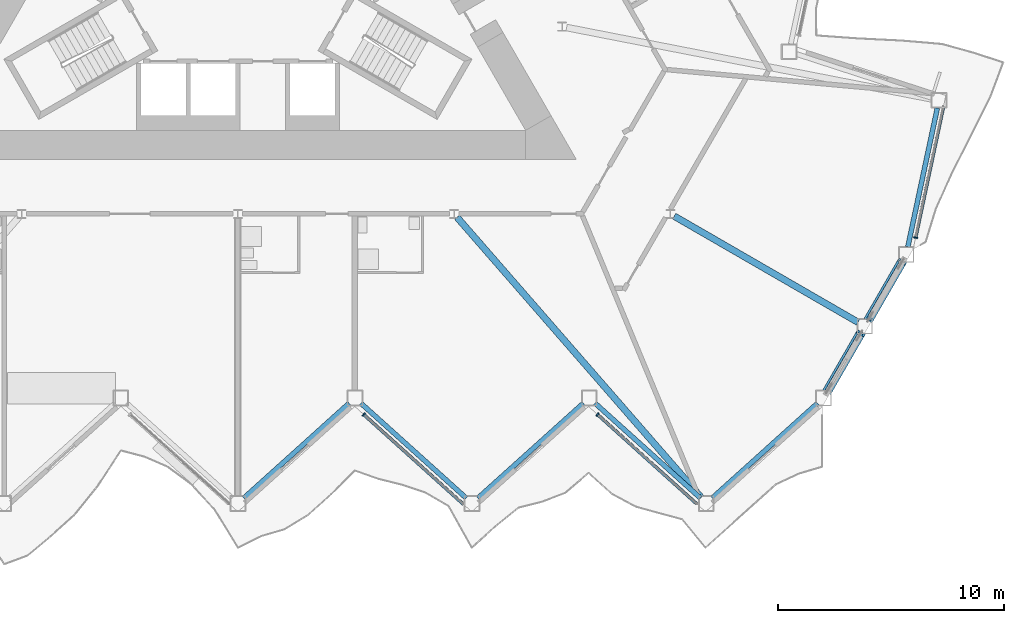
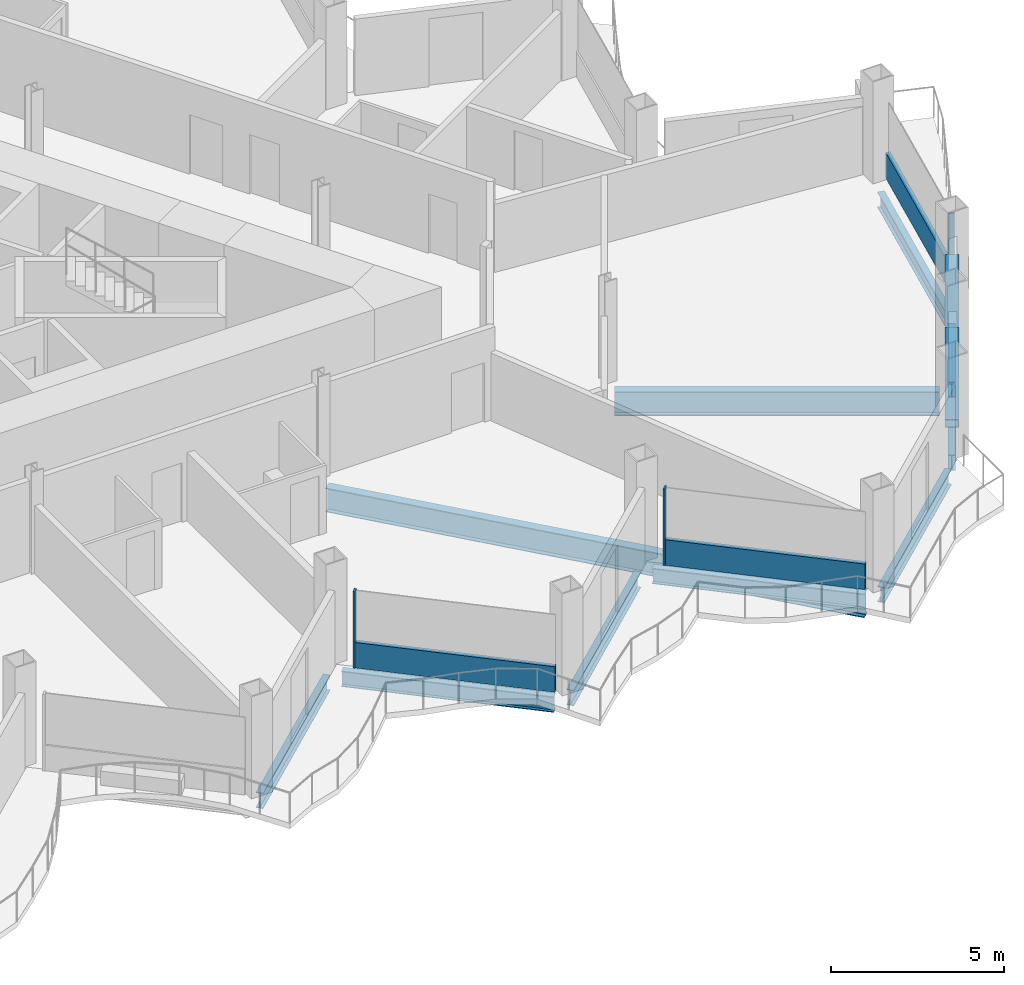
# One storey, part 6 of 23: 10 beams, 8 members, 3 elements without a shape of their own.
"""IFC4 building model written with IfcOpenShell, lengths in metres."""

import ifcopenshell
import ifcopenshell.guid

model = None  # the IFC model being written
_history = None  # IfcOwnerHistory: only IFC2X3 demands one
_inside = {}  # id of a spatial element -> (the spatial element, [elements in it])
_under = {}  # id of a project, library or spatial element -> (it, [spatial elements below it])
_declared = {}  # id of a project -> (the project, [libraries it declares])
_typed = {}  # id of a type object -> (the type object, [elements of that type])
_made_of = {}  # id of a material, layer set ... -> (it, [elements and type objects made of it])


def new_model(schema):
    """Start an empty IFC model of exactly this schema.

    Asked for "IFC4X3", IfcOpenShell would pick the latest addendum, in which some entities
    have other attributes; the version numbers below select the first issue.
    IFC2X3 requires an IfcOwnerHistory on every rooted entity: one is made here for all.
    """
    global model, _history
    if schema == "IFC4X3":
        model = ifcopenshell.file(schema_version=(4, 3, 0, 0))
    else:
        model = ifcopenshell.file(schema=schema)
    _inside.clear()
    _under.clear()
    _declared.clear()
    _typed.clear()
    _made_of.clear()
    _history = None
    if model.schema == "IFC2X3":
        org = make("IfcOrganization", Name="unknown")
        user = make(
            "IfcPersonAndOrganization",
            ThePerson=make("IfcPerson", FamilyName="unknown"),
            TheOrganization=org,
        )
        app = make(
            "IfcApplication",
            ApplicationDeveloper=org,
            Version="unknown",
            ApplicationFullName="unknown",
            ApplicationIdentifier="unknown",
        )
        _history = make(
            "IfcOwnerHistory",
            OwningUser=user,
            OwningApplication=app,
            ChangeAction="ADDED",
            CreationDate=0,
        )
    return model


def make(cls, **values):
    """One entity of the class cls with the attributes given. An attribute that is None is left unset."""
    return model.create_entity(
        cls, **{name: value for name, value in values.items() if value is not None}
    )


def rooted(cls, **values):
    """An entity with a GlobalId (a new one), such as an element, a storey or a relation."""
    return make(cls, GlobalId=ifcopenshell.guid.new(), OwnerHistory=_history, **values)


def si_unit(unit_type, name, prefix=None):
    """IfcSIUnit, for example si_unit("LENGTHUNIT", "METRE", prefix="MILLI")."""
    return make("IfcSIUnit", UnitType=unit_type, Prefix=prefix, Name=name)


def assignment(units):
    """IfcUnitAssignment: the units of a project."""
    return None if units is None else make("IfcUnitAssignment", Units=units)


def point(xyz):
    """IfcCartesianPoint."""
    return None if xyz is None else make("IfcCartesianPoint", Coordinates=xyz)


def direction(xyz):
    """IfcDirection."""
    return None if xyz is None else make("IfcDirection", DirectionRatios=xyz)


def frame(location, z_axis=None, x_axis=None):
    """IfcAxis2Placement3D, a coordinate frame: its origin and axes. An axis left out is left unset."""
    return make(
        "IfcAxis2Placement3D",
        Location=point(location),
        Axis=direction(z_axis),
        RefDirection=direction(x_axis),
    )


def frame_2d(location, x_axis=None):
    """IfcAxis2Placement2D, a coordinate frame in the plane: its origin and x axis."""
    return make(
        "IfcAxis2Placement2D", Location=point(location), RefDirection=direction(x_axis)
    )


def origin():
    """The frame at (0, 0, 0) with its axes left unset."""
    return frame((0.0, 0.0, 0.0))


def origin_2d():
    """The frame at (0, 0) in the plane with its x axis left unset."""
    return frame_2d((0.0, 0.0))


def place(relative_to, where):
    """IfcLocalPlacement: puts the frame where relative to a parent placement (None: the world)."""
    return make(
        "IfcLocalPlacement", PlacementRelTo=relative_to, RelativePlacement=where
    )


def context(
    kind, dimensions, precision=None, world=None, true_north=None, identifier=None
):
    """IfcGeometricRepresentationContext, for example the 3D "Model" context."""
    return make(
        "IfcGeometricRepresentationContext",
        ContextIdentifier=identifier,
        ContextType=kind,
        CoordinateSpaceDimension=dimensions,
        Precision=precision,
        WorldCoordinateSystem=world,
        TrueNorth=true_north,
    )


def subcontext(parent, identifier, kind, view, scale=None):
    """IfcGeometricRepresentationSubContext, for example "Body" below "Model"."""
    return make(
        "IfcGeometricRepresentationSubContext",
        ContextIdentifier=identifier,
        ContextType=kind,
        ParentContext=parent,
        TargetScale=scale,
        TargetView=view,
    )


def project(units=None, contexts=None):
    """IfcProject with its units and contexts."""
    return rooted(
        "IfcProject",
        Name="project",
        RepresentationContexts=contexts,
        UnitsInContext=assignment(units),
    )


def spatial(cls, under=None, at=None, **own):
    """A site, building, storey or space (cls), placed at a placement, below another one or the project."""
    s = rooted(cls, ObjectPlacement=at, **own)
    if under is not None:
        _under.setdefault(under.id(), (under, []))[1].append(s)
    return s


def profile(cls, at=None, kind="AREA", **sizes):
    """A parametric profile (cls). Its sizes go by their IFC names, for example OverallWidth=200.0."""
    return make(cls, ProfileType=kind, Position=at, **sizes)


def rectangle(**sizes):
    """IfcRectangleProfileDef."""
    return profile("IfcRectangleProfileDef", **sizes)


def hollow_rectangle(**sizes):
    """IfcRectangleHollowProfileDef."""
    return profile("IfcRectangleHollowProfileDef", **sizes)


def i_section(**sizes):
    """IfcIShapeProfileDef."""
    return profile("IfcIShapeProfileDef", **sizes)


def extrude(swept, where, along, depth):
    """IfcExtrudedAreaSolid: the profile swept, set in the frame where, extruded along a direction by depth."""
    return make(
        "IfcExtrudedAreaSolid",
        SweptArea=swept,
        Position=where,
        ExtrudedDirection=direction(along),
        Depth=depth,
    )


def shape(context_of_items, identifier, shape_type, items):
    """IfcShapeRepresentation: the items that make up one representation, for example the "Body"."""
    return make(
        "IfcShapeRepresentation",
        ContextOfItems=context_of_items,
        RepresentationIdentifier=identifier,
        RepresentationType=shape_type,
        Items=items,
    )


def material(Name=None, Category=None):
    """IfcMaterial."""
    return make("IfcMaterial", Name=Name, Category=Category)


def layer(
    of_material, thickness, ventilated=None, Name=None, Category=None, Priority=None
):
    """IfcMaterialLayer: one layer of a wall or slab, of a material (None: an air gap)."""
    return make(
        "IfcMaterialLayer",
        Material=of_material,
        LayerThickness=thickness,
        IsVentilated=ventilated,
        Name=Name,
        Category=Category,
        Priority=Priority,
    )


def layer_set(layers, Name=None):
    """IfcMaterialLayerSet."""
    return make("IfcMaterialLayerSet", MaterialLayers=layers, LayerSetName=Name)


def material_profile(
    of_material, cross_section, Name=None, Category=None, Priority=None
):
    """IfcMaterialProfile: a cross section and its material."""
    return make(
        "IfcMaterialProfile",
        Name=Name,
        Material=of_material,
        Profile=cross_section,
        Priority=Priority,
        Category=Category,
    )


def profile_set(profiles, Name=None, composite=None):
    """IfcMaterialProfileSet."""
    return make(
        "IfcMaterialProfileSet",
        Name=Name,
        MaterialProfiles=profiles,
        CompositeProfile=composite,
    )


def made_of(thing, what):
    """Note that an element or type object is made of a material, layer set ...; save() writes the relation."""
    if what is not None:
        _made_of.setdefault(what.id(), (what, []))[1].append(thing)
    return thing


def type_object(cls, material=None, **own):
    """A type object (cls), such as IfcWallType, which elements share."""
    return made_of(rooted(cls, **own), material)


def element(
    cls,
    number,
    at=None,
    inside=None,
    cuts=None,
    type_object=None,
    material=None,
    context=None,
    identifier="Body",
    shape_type=None,
    held_by="IfcProductDefinitionShape",
    body=None,
    shapes=None,
    **own,
):
    """One element of the class cls, such as IfcWall. Its Tag is "e" and its number.

    at: its placement. inside: the storey or other place that contains it. cuts: it is an
    opening in that element (IfcRelVoidsElement). A single representation is given by context,
    identifier, shape_type and body (its items); several are given by shapes. held_by: the class
    of the entity that holds the representations. save() writes the other relations.
    """
    e = rooted(cls, Tag="e%d" % number, ObjectPlacement=at, **own)
    if body is not None:
        shapes = [shape(context, identifier, shape_type, body)]
    if shapes is not None:
        e.Representation = make(held_by, Representations=shapes)
    if inside is not None:
        _inside.setdefault(inside.id(), (inside, []))[1].append(e)
    if cuts is not None:
        rooted(
            "IfcRelVoidsElement", RelatingBuildingElement=cuts, RelatedOpeningElement=e
        )
    if type_object is not None:
        _typed.setdefault(type_object.id(), (type_object, []))[1].append(e)
    return made_of(e, material)


def aggregate(whole, parts):
    """IfcRelAggregates: a whole, such as a stair, and the parts it consists of."""
    return rooted("IfcRelAggregates", RelatingObject=whole, RelatedObjects=parts)


def save(model, path):
    """Write the relations noted so far, then the file.

    IfcRelAggregates (storeys below a building ...), IfcRelContainedInSpatialStructure (elements
    in a storey), IfcRelDefinesByType, IfcRelAssociatesMaterial and IfcRelDeclares: one each for
    every whole, place, type object, material and project.
    """
    for whole, parts in _under.values():
        aggregate(whole, parts)
    for where, things in _inside.values():
        rooted(
            "IfcRelContainedInSpatialStructure",
            RelatedElements=things,
            RelatingStructure=where,
        )
    for kind, things in _typed.values():
        rooted("IfcRelDefinesByType", RelatedObjects=things, RelatingType=kind)
    for what, things in _made_of.values():
        rooted("IfcRelAssociatesMaterial", RelatedObjects=things, RelatingMaterial=what)
    for by, libraries in _declared.values():
        rooted("IfcRelDeclares", RelatingContext=by, RelatedDefinitions=libraries)
    model.write(path)


model = new_model("IFC4")

# Units and contexts
model_context = context("Model", 3, precision=1e-05, world=origin(), true_north=direction((0.0, 1.0)))
body_context = subcontext(model_context, "Body", "Model", "MODEL_VIEW")
ifc_project = project(units=[si_unit("LENGTHUNIT", "METRE"), si_unit("AREAUNIT", "SQUARE_METRE"), si_unit("VOLUMEUNIT", "CUBIC_METRE"), si_unit("PLANEANGLEUNIT", "RADIAN"), si_unit("MASSUNIT", "GRAM", prefix="KILO")], contexts=[model_context])

# Site, building, storey
site_placement = place(None, origin())
site = spatial("IfcSite", under=ifc_project, at=site_placement, CompositionType="ELEMENT")
building_placement = place(site_placement, origin())
building = spatial("IfcBuilding", under=site, at=building_placement, Name="Cormorant Prow Tower", CompositionType="ELEMENT")
storey_placement = place(building_placement, frame((0.0, 0.0, 259.800048828125)))
storey = spatial("IfcBuildingStorey", under=building, at=storey_placement, Name="L58", CompositionType="ELEMENT", Elevation=259.800048828125)

# Members
ifc_material_1 = material(Name="Structural steel ASTM A500 Gr C", Category="steel")
ifc_material_profile_1 = material_profile(ifc_material_1, hollow_rectangle(XDim=0.406494140625, YDim=0.406494140625, WallThickness=0.01171875, at=origin_2d()), Name="HSS16x16x1/2")
ifc_profile_set_1 = profile_set([ifc_material_profile_1], Name="Structural steel ASTM A500 Gr C")
member_type_1 = type_object("IfcMemberType", Name="Chamfer brace HSS16x16x1/2", PredefinedType="BRACE", material=ifc_profile_set_1)
for number, where, z_axis, x_axis, name in (
    (1, (26.1240234375, -18.898681640625, 0.74951171875), (0.462773096913, 0.801606962687, 0.378506721399), (-0.866041729639, 0.499971721724, 0.0), "Chamfer brace BR2 at ESE00 L58"),
    (2, (27.959228515625, -15.719970703125, 0.74951171875), (0.462773096913, 0.801606962687, 0.378506721399), (-0.866041729639, 0.499971721724, 0.0), "Chamfer brace BR2 at ESE01 L58"),
):
    element("IfcMember", number, at=place(storey_placement, frame(where, z_axis=z_axis, x_axis=x_axis)), inside=storey, type_object=member_type_1, Name=name, PredefinedType="BRACE", context=body_context, shape_type="SweptSolid", body=[
        extrude(hollow_rectangle(XDim=0.406494140625, YDim=0.406494140625, WallThickness=0.01171875, at=origin_2d()), origin(), (0.0, 0.0, 1.0), 3.17529296875),
    ])

# Curtain wall, member
ifc_material_2 = material(Name="Aluminium 6063-T6", Category="aluminium")
ifc_layer = layer(ifc_material_2, 0.179931640625)
ifc_layer_set = layer_set([ifc_layer], Name="Aluminium 6063-T6")
curtain_wall_type = type_object("IfcCurtainWallType", Name="Hotel unitised curtain wall 180", PredefinedType="NOTDEFINED", material=ifc_layer_set)
curtain_wall_1_placement = place(storey_placement, origin())
curtain_wall_1 = element("IfcCurtainWall", 3, at=curtain_wall_1_placement, inside=storey, type_object=curtain_wall_type, Name="Hotel curtain wall S06", PredefinedType="NOTDEFINED")
ifc_material_3 = material(Name="Aluminium 6063-T6", Category="aluminium")
ifc_material_profile_2 = material_profile(ifc_material_3, rectangle(XDim=0.179931640625, YDim=0.06005859375, at=origin_2d()), Name="Hotel mullion 60x180")
ifc_profile_set_2 = profile_set([ifc_material_profile_2], Name="Aluminium 6063-T6")
member_type_2 = type_object("IfcMemberType", Name="Hotel mullion 60x180", PredefinedType="MULLION", material=ifc_profile_set_2)
member_1_placement = place(storey_placement, frame((5.57421875, -19.94873046875, 0.0), z_axis=(0.0, 0.0, 1.0), x_axis=(0.669130602377, 0.743144829063, 0.0)))
member_1 = element("IfcMember", 4, at=member_1_placement, type_object=member_type_2, Name="Hotel mullion S06", PredefinedType="MULLION", context=body_context, shape_type="SweptSolid", body=[
    extrude(rectangle(XDim=0.179931640625, YDim=0.06005859375, at=origin_2d()), origin(), (0.0, 0.0, 1.0), 2.700927734375),
])

curtain_wall_2_placement = place(storey_placement, origin())
curtain_wall_2 = element("IfcCurtainWall", 5, at=curtain_wall_2_placement, inside=storey, type_object=curtain_wall_type, Name="Hotel curtain wall S08", PredefinedType="NOTDEFINED")
member_2_placement = place(storey_placement, frame((15.93310546875, -19.94873046875, 0.0), z_axis=(0.0, 0.0, 1.0), x_axis=(0.669130602377, 0.743144829063, 0.0)))
member_2 = element("IfcMember", 6, at=member_2_placement, type_object=member_type_2, Name="Hotel mullion S08", PredefinedType="MULLION", context=body_context, shape_type="SweptSolid", body=[
    extrude(rectangle(XDim=0.179931640625, YDim=0.06005859375, at=origin_2d()), origin(), (0.0, 0.0, 1.0), 2.700927734375),
])

curtain_wall_3_placement = place(storey_placement, origin())
curtain_wall_3 = element("IfcCurtainWall", 7, at=curtain_wall_3_placement, inside=storey, type_object=curtain_wall_type, Name="Hotel curtain wall ENE00", PredefinedType="NOTDEFINED")
member_3_placement = place(storey_placement, frame((30.027587890625, -12.11181640625, 0.0), z_axis=(0.0, 0.0, 1.0), x_axis=(-0.978147572038, 0.207911825822, 0.0)))
member_3 = element("IfcMember", 8, at=member_3_placement, type_object=member_type_2, Name="Hotel mullion ENE00", PredefinedType="MULLION", context=body_context, shape_type="SweptSolid", body=[
    extrude(rectangle(XDim=0.179931640625, YDim=0.06005859375, at=origin_2d()), origin(), (0.0, 0.0, 1.0), 2.700927734375),
])

# Member
ifc_material_4 = material(Name="Terracotta", Category="masonry")
ifc_material_profile_3 = material_profile(ifc_material_4, rectangle(XDim=0.139892578125, YDim=0.89990234375, at=origin_2d()), Name="Hotel terracotta spandrel rail 140x900")
ifc_profile_set_3 = profile_set([ifc_material_profile_3], Name="Terracotta")
member_type_3 = type_object("IfcMemberType", Name="Hotel terracotta spandrel rail 140x900", PredefinedType="USERDEFINED", material=ifc_profile_set_3)
member_4_placement = place(storey_placement, frame((5.596435546875, -19.968994140625, 0.449951171875), z_axis=(0.743164674775, -0.669108560823, 0.0), x_axis=(0.669108560823, 0.743164674775, 0.0)))
member_4 = element("IfcMember", 9, at=member_4_placement, type_object=member_type_3, Name="Hotel spandrel rail S06", ObjectType="TRANSOM", PredefinedType="USERDEFINED", context=body_context, shape_type="SweptSolid", body=[
    extrude(rectangle(XDim=0.139892578125, YDim=0.89990234375, at=origin_2d()), origin(), (0.0, 0.0, 1.0), 5.90771484375),
])

aggregate(curtain_wall_1, [member_1, member_4])

member_5_placement = place(storey_placement, frame((15.955322265625, -19.968994140625, 0.449951171875), z_axis=(0.743164674775, -0.669108560823, 0.0), x_axis=(0.669108560823, 0.743164674775, 0.0)))
member_5 = element("IfcMember", 10, at=member_5_placement, type_object=member_type_3, Name="Hotel spandrel rail S08", ObjectType="TRANSOM", PredefinedType="USERDEFINED", context=body_context, shape_type="SweptSolid", body=[
    extrude(rectangle(XDim=0.139892578125, YDim=0.89990234375, at=origin_2d()), origin(), (0.0, 0.0, 1.0), 5.90771484375),
])

aggregate(curtain_wall_2, [member_2, member_5])

member_6_placement = place(storey_placement, frame((30.033935546875, -12.08251953125, 0.449951171875), z_axis=(0.207903236983, 0.978149397614, 0.0), x_axis=(-0.978149397614, 0.207903236983, 0.0)))
member_6 = element("IfcMember", 11, at=member_6_placement, type_object=member_type_3, Name="Hotel spandrel rail ENE00", ObjectType="TRANSOM", PredefinedType="USERDEFINED", context=body_context, shape_type="SweptSolid", body=[
    extrude(rectangle(XDim=0.139892578125, YDim=0.89990234375, at=origin_2d()), origin(), (0.0, 0.0, 1.0), 5.907958984375),
])

aggregate(curtain_wall_3, [member_3, member_6])

# Beams
ifc_material_5 = material(Name="Structural steel ASTM A992 Gr 50", Category="steel")
ifc_material_profile_4 = material_profile(ifc_material_5, i_section(OverallWidth=0.29296875, OverallDepth=0.845703125, WebThickness=0.015380859375, FlangeThickness=0.0244140625, at=origin_2d()), Name="W33x141")
ifc_profile_set_4 = profile_set([ifc_material_profile_4], Name="Structural steel ASTM A992 Gr 50")
beam_type_1 = type_object("IfcBeamType", Name="Radial floor beam W33x141", PredefinedType="BEAM", material=ifc_profile_set_4)
beam_1_placement = place(storey_placement, frame((9.70947265625, -11.210693359375, -0.77294921875), z_axis=(0.656874593387, -0.753999846527, 0.0), x_axis=(0.753999846527, 0.656874593387, 0.0)))
element("IfcBeam", 12, at=beam_1_placement, inside=storey, type_object=beam_type_1, Name="Radial floor beam FB2 8 L58", PredefinedType="BEAM", context=body_context, shape_type="SweptSolid", body=[
    extrude(i_section(OverallWidth=0.29296875, OverallDepth=0.845703125, WebThickness=0.015380859375, FlangeThickness=0.0244140625, at=origin_2d()), origin(), (0.0, 0.0, 1.0), 16.4619140625),
])
beam_2_placement = place(storey_placement, frame((19.32958984375, -11.159912109375, -0.77294921875), z_axis=(0.866021726843, -0.500006368596, 0.0), x_axis=(0.500006368596, 0.866021726843, 0.0)))
element("IfcBeam", 13, at=beam_2_placement, inside=storey, type_object=beam_type_1, Name="Radial floor beam FB2 9 L58", PredefinedType="BEAM", context=body_context, shape_type="SweptSolid", body=[
    extrude(i_section(OverallWidth=0.29296875, OverallDepth=0.845703125, WebThickness=0.015380859375, FlangeThickness=0.0244140625, at=origin_2d()), origin(), (0.0, 0.0, 1.0), 9.40380859375),
])
ifc_material_6 = material(Name="Structural steel ASTM A992 Gr 50", Category="steel")
ifc_material_profile_5 = material_profile(ifc_material_6, i_section(OverallWidth=0.2138671875, OverallDepth=0.549072265625, WebThickness=0.0146484375, FlangeThickness=0.023681640625, at=origin_2d()), Name="W21x93")
ifc_profile_set_5 = profile_set([ifc_material_profile_5], Name="Structural steel ASTM A992 Gr 50")
beam_type_2 = type_object("IfcBeamType", Name="Spandrel beam W21x93", PredefinedType="SPANDREL", material=ifc_profile_set_5)
for number, where, z_axis, x_axis, name in (
    (14, (0.260009765625, -23.65283203125, -0.62451171875), (0.743156918576, 0.669117175368, 0.0), (-0.669117175368, 0.743156918576, 0.0), "Spandrel beam SB2 S05-S06 L58"),
    (15, (5.4482421875, -19.44970703125, -0.62451171875), (0.743156918576, -0.669117175368, 0.0), (0.669117175368, 0.743156918576, 0.0), "Spandrel beam SB2 S06-S07 L58"),
    (16, (10.636474609375, -23.65283203125, -0.62451171875), (0.743156918576, 0.669117175368, 0.0), (-0.669117175368, 0.743156918576, 0.0), "Spandrel beam SB2 S07-S08 L58"),
    (17, (15.82470703125, -19.44970703125, -0.62451171875), (0.743156918576, -0.669117175368, 0.0), (0.669117175368, 0.743156918576, 0.0), "Spandrel beam SB2 S08-S09 L58"),
    (18, (21.012939453125, -23.65283203125, -0.62451171875), (0.743156918576, 0.669117175368, 0.0), (-0.669117175368, 0.743156918576, 0.0), "Spandrel beam SB2 S09-ESE00 L58"),
):
    element("IfcBeam", number, at=place(storey_placement, frame(where, z_axis=z_axis, x_axis=x_axis)), inside=storey, type_object=beam_type_2, Name=name, PredefinedType="SPANDREL", context=body_context, shape_type="SweptSolid", body=[
        extrude(i_section(OverallWidth=0.2138671875, OverallDepth=0.549072265625, WebThickness=0.0146484375, FlangeThickness=0.023681640625, at=origin_2d()), origin(), (0.0, 0.0, 1.0), 6.281494140625),
    ])
for number, where, z_axis, x_axis, name in (
    (19, (26.1162109375, -18.912353515625, -0.62451171875), (0.499966725515, 0.866044613965, 0.0), (-0.866044613965, 0.499966725515, 0.0), "Spandrel beam SB2 ESE00-ESE01 L58"),
    (20, (27.951416015625, -15.733642578125, -0.62451171875), (0.499966725515, 0.866044613965, 0.0), (-0.866044613965, 0.499966725515, 0.0), "Spandrel beam SB2 ESE01-ENE00 L58"),
):
    element("IfcBeam", number, at=place(storey_placement, frame(where, z_axis=z_axis, x_axis=x_axis)), inside=storey, type_object=beam_type_2, Name=name, PredefinedType="SPANDREL", context=body_context, shape_type="SweptSolid", body=[
        extrude(i_section(OverallWidth=0.2138671875, OverallDepth=0.549072265625, WebThickness=0.0146484375, FlangeThickness=0.023681640625, at=origin_2d()), origin(), (0.0, 0.0, 1.0), 2.970458984375),
    ])
beam_3_placement = place(storey_placement, frame((29.684326171875, -12.515625, -0.62451171875), z_axis=(0.207941499013, 0.978141264331, 0.0), x_axis=(-0.978141264331, 0.207941499013, 0.0)))
element("IfcBeam", 21, at=beam_3_placement, inside=storey, type_object=beam_type_2, Name="Spandrel beam SB2 ENE00-ENE01 L58", PredefinedType="SPANDREL", context=body_context, shape_type="SweptSolid", body=[
    extrude(i_section(OverallWidth=0.2138671875, OverallDepth=0.549072265625, WebThickness=0.0146484375, FlangeThickness=0.023681640625, at=origin_2d()), origin(), (0.0, 0.0, 1.0), 6.28125),
])

save(model, "model.ifc")
